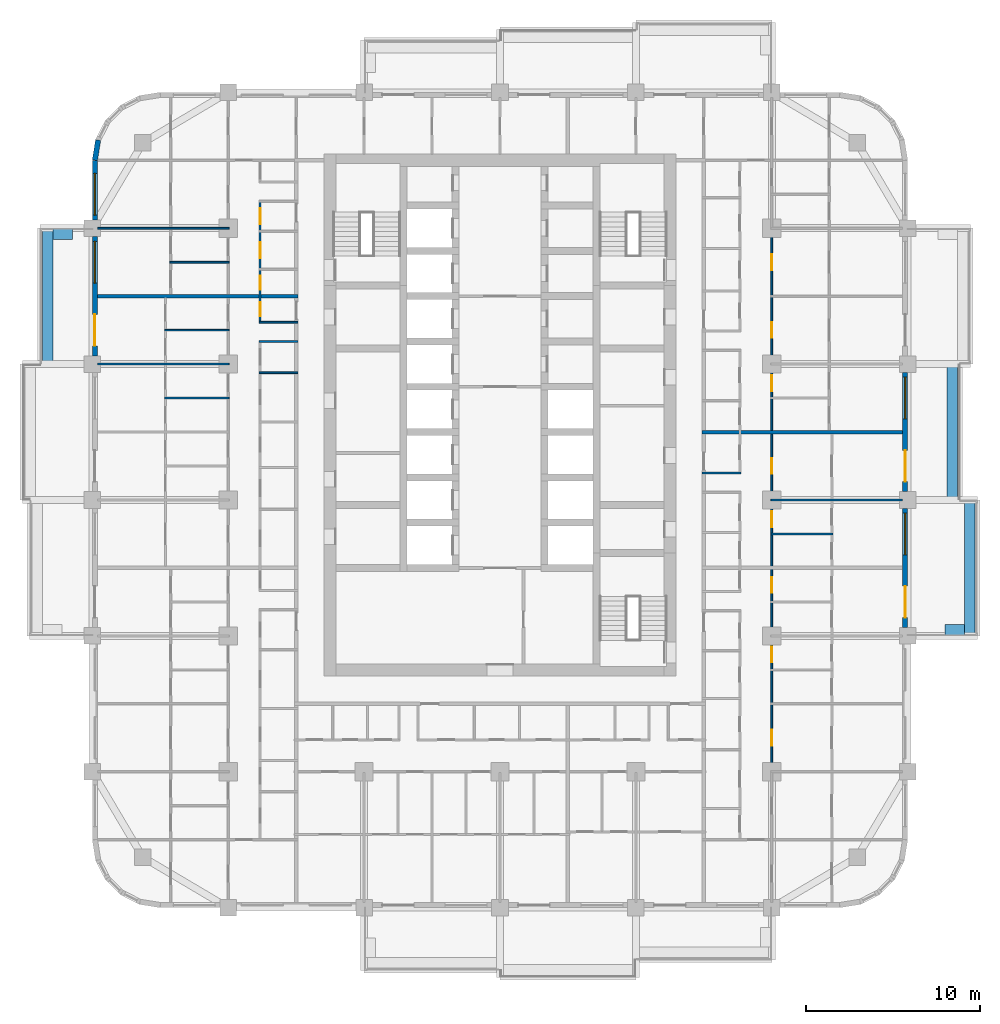
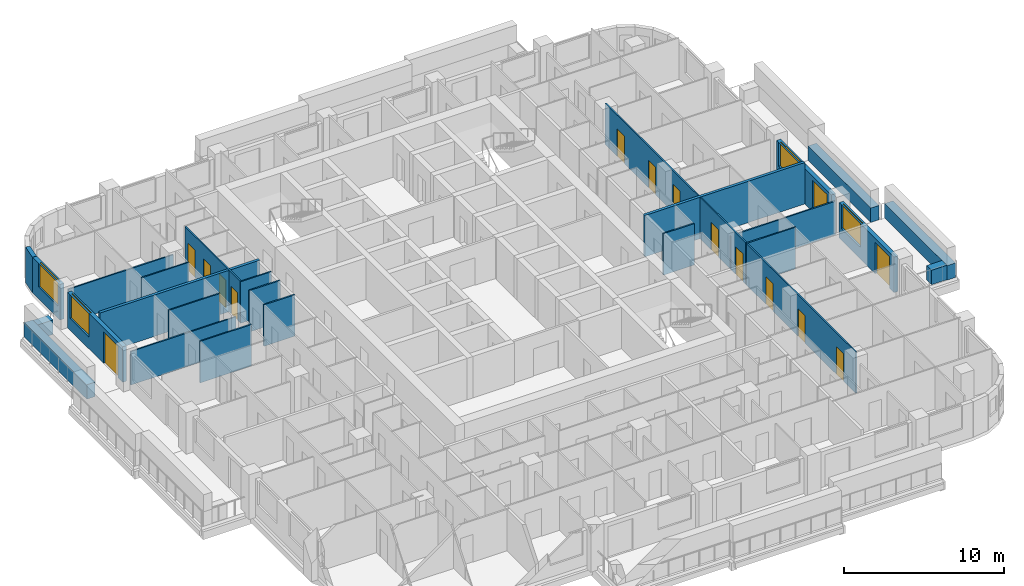
# One storey, part 9 of 17: 25 walls, 15 doors, 4 windows, 19 openings.
"""IFC4 building model written with IfcOpenShell, lengths in metres."""

from ifc_helpers import new_model, si_unit, direction, frame, frame_2d, origin, place, context, subcontext, project, spatial, rectangle, extrude, material, layer, layer_set, type_object, element, fill, save


model = new_model("IFC4")

# Units and contexts
model_context = context("Model", 3, precision=1e-05, world=origin(), true_north=direction((0.0, 1.0)))
body_context = subcontext(model_context, "Body", "Model", "MODEL_VIEW")
ifc_project = project(units=[si_unit("LENGTHUNIT", "METRE"), si_unit("AREAUNIT", "SQUARE_METRE"), si_unit("VOLUMEUNIT", "CUBIC_METRE"), si_unit("PLANEANGLEUNIT", "RADIAN"), si_unit("MASSUNIT", "GRAM", prefix="KILO")], contexts=[model_context])

# Site, building, storey
site_placement = place(None, origin())
site = spatial("IfcSite", under=ifc_project, at=site_placement, CompositionType="ELEMENT")
building_placement = place(site_placement, origin())
building = spatial("IfcBuilding", under=site, at=building_placement, Name="Ludao Terraces", CompositionType="ELEMENT")
storey_placement = place(building_placement, frame((0.0, 0.0, 85.199951171875)))
storey = spatial("IfcBuildingStorey", under=building, at=storey_placement, Name="L23", CompositionType="ELEMENT", Elevation=85.199951171875)

# Walls
ifc_material_1 = material(Name="Concrete C40", Category="concrete")
ifc_layer_1 = layer(ifc_material_1, 0.60009765625)
ifc_layer_set_1 = layer_set([ifc_layer_1], Name="ENV Planter trough 600")
wall_type_1 = type_object("IfcWallType", Name="ENV Planter trough 600", PredefinedType="USERDEFINED", material=ifc_layer_set_1)
wall_1_placement = place(storey_placement, frame((111.949951171875, 57.199951171875, 0.0), z_axis=(0.0, 0.0, 1.0), x_axis=(0.0, 1.0, 0.0)))
element("IfcWall", 1, at=wall_1_placement, inside=storey, type_object=wall_type_1, Name="PL-L23-E2", ObjectType="PLANTER", PredefinedType="USERDEFINED", context=body_context, shape_type="SweptSolid", body=[
    extrude(rectangle(XDim=7.800048828125, YDim=0.60009765625, at=frame_2d((3.89990234375, 0.0))), origin(), (0.0, 0.0, 1.0), 1.10009765625),
])
wall_2_placement = place(storey_placement, frame((111.64990234375, 57.550048828125, 0.0), z_axis=(0.0, 0.0, 1.0), x_axis=(-1.0, 0.0, 0.0)))
element("IfcWall", 2, at=wall_2_placement, inside=storey, type_object=wall_type_1, Name="PL-L23-E2-SA", ObjectType="PLANTER", PredefinedType="USERDEFINED", context=body_context, shape_type="SweptSolid", body=[
    extrude(rectangle(XDim=1.099853515625, YDim=0.60009765625, at=frame_2d((0.5498046875, 0.0))), origin(), (0.0, 0.0, 1.0), 1.10009765625),
])
for number, where, z_axis, x_axis, name in (
    (3, (110.949951171875, 65.0, 0.0), (0.0, 0.0, 1.0), (0.0, 1.0, 0.0), "PL-L23-E3"),
    (4, (59.050048828125, 72.800048828125, 0.0), (0.0, 0.0, 1.0), (0.0, 1.0, 0.0), "PL-L23-W4"),
):
    element("IfcWall", number, at=place(storey_placement, frame(where, z_axis=z_axis, x_axis=x_axis)), inside=storey, type_object=wall_type_1, Name=name, ObjectType="PLANTER", PredefinedType="USERDEFINED", context=body_context, shape_type="SweptSolid", body=[
        extrude(rectangle(XDim=7.800048828125, YDim=0.60009765625, at=frame_2d((3.89990234375, 0.0))), origin(), (0.0, 0.0, 1.0), 1.10009765625),
    ])
wall_3_placement = place(storey_placement, frame((59.35009765625, 80.25, 0.0), z_axis=(0.0, 0.0, 1.0), x_axis=(1.0, 0.0, 0.0)))
element("IfcWall", 5, at=wall_3_placement, inside=storey, type_object=wall_type_1, Name="PL-L23-W4-SB", ObjectType="PLANTER", PredefinedType="USERDEFINED", context=body_context, shape_type="SweptSolid", body=[
    extrude(rectangle(XDim=1.099853515625, YDim=0.60009765625, at=frame_2d((0.5498046875, 0.0))), origin(), (0.0, 0.0, 1.0), 1.10009765625),
])

# Wall, openings, door, window
ifc_material_2 = material(Name="Granite cladding", Category="masonry")
ifc_layer_2 = layer(ifc_material_2, 0.0400390625, Category="stone")
ifc_material_3 = material(Name="Mineral wool")
ifc_layer_3 = layer(ifc_material_3, 0.06005859375)
ifc_layer_4 = layer(ifc_material_1, 0.199951171875, Category="concrete")
ifc_layer_set_2 = layer_set([ifc_layer_2, ifc_layer_3, ifc_layer_4], Name="ENV Stone-clad wall 300")
wall_type_2 = type_object("IfcWallType", Name="ENV Stone-clad wall 300", PredefinedType="SOLIDWALL", material=ifc_layer_set_2)
wall_4_placement = place(storey_placement, frame((108.25, 57.675048828125, 0.0), z_axis=(0.0, 0.0, 1.0), x_axis=(0.0, 1.0, 0.0)))
wall_4 = element("IfcWall", 6, at=wall_4_placement, inside=storey, type_object=wall_type_2, Name="EW-L23-E3", PredefinedType="SOLIDWALL", context=body_context, shape_type="SweptSolid", body=[
    extrude(rectangle(XDim=6.849853515625, YDim=0.300048828125, at=frame_2d((3.4248046875, 0.0))), origin(), (0.0, 0.0, 1.0), 2.699951171875),
])
opening_1_placement = place(wall_4_placement, frame((0.574951171875, 0.0, 0.0)))
opening_1 = element("IfcOpeningElement", 7, at=opening_1_placement, cuts=wall_4, Name="Opening BD", PredefinedType="OPENING", context=body_context, shape_type="SweptSolid", body=[
    extrude(rectangle(XDim=1.800048828125, YDim=2.39990234375, at=frame_2d((0.89990234375, 1.199951171875))), frame((0.0, 0.16015625, 0.0), z_axis=(0.0, -1.0, 0.0), x_axis=(1.0, 0.0, 0.0)), (0.0, 0.0, 1.0), 0.320068359375),
])
opening_2_placement = place(wall_4_placement, frame((4.175048828125, 0.0, 0.89990234375)))
opening_2 = element("IfcOpeningElement", 8, at=opening_2_placement, cuts=wall_4, Name="Opening W1", PredefinedType="OPENING", context=body_context, shape_type="SweptSolid", body=[
    extrude(rectangle(XDim=2.39990234375, YDim=1.800048828125, at=frame_2d((1.199951171875, 0.89990234375))), frame((0.0, 0.16015625, 0.0), z_axis=(0.0, -1.0, 0.0), x_axis=(1.0, 0.0, 0.0)), (0.0, 0.0, 1.0), 0.320068359375),
])
ifc_material_4 = material(Name="Aluminium glazed door", Category="aluminium")
ifc_layer_5 = layer(ifc_material_4, 0.06005859375)
ifc_layer_set_3 = layer_set([ifc_layer_5], Name="ENV Balcony door BD 1800x2400")
door_type_1 = type_object("IfcDoorType", Name="ENV Balcony door BD 1800x2400", OperationType="DOUBLE_DOOR_SINGLE_SWING", PredefinedType="DOOR", material=ifc_layer_set_3)
door_1_placement = place(opening_1_placement, origin())
door_1 = element("IfcDoor", 9, at=door_1_placement, inside=storey, type_object=door_type_1, Name="BD-L23-E3-1", OperationType="DOUBLE_DOOR_SINGLE_SWING", OverallHeight=2.39990234375, OverallWidth=1.800048828125, PredefinedType="DOOR", context=body_context, shape_type="SweptSolid", body=[
    extrude(rectangle(XDim=1.800048828125, YDim=2.39990234375, at=frame_2d((0.89990234375, 1.199951171875))), frame((0.0, 0.02490234375, 0.0), z_axis=(0.0, -1.0, 0.0), x_axis=(1.0, 0.0, 0.0)), (0.0, 0.0, 1.0), 0.050048828125),
])
fill(opening_1, door_1)
ifc_material_5 = material(Name="Clear glass in aluminium frame", Category="aluminium")
ifc_layer_6 = layer(ifc_material_5, 0.06005859375)
ifc_layer_set_4 = layer_set([ifc_layer_6], Name="ENV Window W1 2400x1800")
window_type = type_object("IfcWindowType", Name="ENV Window W1 2400x1800", PartitioningType="DOUBLE_PANEL_VERTICAL", PredefinedType="WINDOW", material=ifc_layer_set_4)
window_1_placement = place(opening_2_placement, origin())
window_1 = element("IfcWindow", 10, at=window_1_placement, inside=storey, type_object=window_type, Name="W-L23-E3-2", OverallHeight=1.800048828125, OverallWidth=2.39990234375, PartitioningType="DOUBLE_PANEL_VERTICAL", PredefinedType="WINDOW", context=body_context, shape_type="SweptSolid", body=[
    extrude(rectangle(XDim=2.39990234375, YDim=1.800048828125, at=frame_2d((1.199951171875, 0.89990234375))), frame((0.0, 0.030029296875, 0.0), z_axis=(0.0, -1.0, 0.0), x_axis=(1.0, 0.0, 0.0)), (0.0, 0.0, 1.0), 0.06005859375),
])
fill(opening_2, window_1)

wall_5_placement = place(storey_placement, frame((108.25, 65.47509765625, 0.0), z_axis=(0.0, 0.0, 1.0), x_axis=(0.0, 1.0, 0.0)))
wall_5 = element("IfcWall", 11, at=wall_5_placement, inside=storey, type_object=wall_type_2, Name="EW-L23-E4", PredefinedType="SOLIDWALL", context=body_context, shape_type="SweptSolid", body=[
    extrude(rectangle(XDim=6.849853515625, YDim=0.300048828125, at=frame_2d((3.4248046875, 0.0))), origin(), (0.0, 0.0, 1.0), 2.699951171875),
])
opening_3_placement = place(wall_5_placement, frame((0.574951171875, 0.0, 0.0)))
opening_3 = element("IfcOpeningElement", 12, at=opening_3_placement, cuts=wall_5, Name="Opening BD", PredefinedType="OPENING", context=body_context, shape_type="SweptSolid", body=[
    extrude(rectangle(XDim=1.800048828125, YDim=2.39990234375, at=frame_2d((0.89990234375, 1.199951171875))), frame((0.0, 0.16015625, 0.0), z_axis=(0.0, -1.0, 0.0), x_axis=(1.0, 0.0, 0.0)), (0.0, 0.0, 1.0), 0.320068359375),
])
opening_4_placement = place(wall_5_placement, frame((4.175048828125, 0.0, 0.89990234375)))
opening_4 = element("IfcOpeningElement", 13, at=opening_4_placement, cuts=wall_5, Name="Opening W1", PredefinedType="OPENING", context=body_context, shape_type="SweptSolid", body=[
    extrude(rectangle(XDim=2.39990234375, YDim=1.800048828125, at=frame_2d((1.199951171875, 0.89990234375))), frame((0.0, 0.16015625, 0.0), z_axis=(0.0, -1.0, 0.0), x_axis=(1.0, 0.0, 0.0)), (0.0, 0.0, 1.0), 0.320068359375),
])
door_2_placement = place(opening_3_placement, origin())
door_2 = element("IfcDoor", 14, at=door_2_placement, inside=storey, type_object=door_type_1, Name="BD-L23-E4-1", OperationType="DOUBLE_DOOR_SINGLE_SWING", OverallHeight=2.39990234375, OverallWidth=1.800048828125, PredefinedType="DOOR", context=body_context, shape_type="SweptSolid", body=[
    extrude(rectangle(XDim=1.800048828125, YDim=2.39990234375, at=frame_2d((0.89990234375, 1.199951171875))), frame((0.0, 0.02490234375, 0.0), z_axis=(0.0, -1.0, 0.0), x_axis=(1.0, 0.0, 0.0)), (0.0, 0.0, 1.0), 0.050048828125),
])
fill(opening_3, door_2)
window_2_placement = place(opening_4_placement, origin())
window_2 = element("IfcWindow", 15, at=window_2_placement, inside=storey, type_object=window_type, Name="W-L23-E4-2", OverallHeight=1.800048828125, OverallWidth=2.39990234375, PartitioningType="DOUBLE_PANEL_VERTICAL", PredefinedType="WINDOW", context=body_context, shape_type="SweptSolid", body=[
    extrude(rectangle(XDim=2.39990234375, YDim=1.800048828125, at=frame_2d((1.199951171875, 0.89990234375))), frame((0.0, 0.030029296875, 0.0), z_axis=(0.0, -1.0, 0.0), x_axis=(1.0, 0.0, 0.0)), (0.0, 0.0, 1.0), 0.06005859375),
])
fill(opening_4, window_2)

wall_6_placement = place(storey_placement, frame((61.75, 73.27490234375, 0.0), z_axis=(0.0, 0.0, 1.0), x_axis=(0.0, 1.0, 0.0)))
wall_6 = element("IfcWall", 16, at=wall_6_placement, inside=storey, type_object=wall_type_2, Name="EW-L23-W5", PredefinedType="SOLIDWALL", context=body_context, shape_type="SweptSolid", body=[
    extrude(rectangle(XDim=6.85009765625, YDim=0.300048828125, at=frame_2d((3.425048828125, 0.0))), origin(), (0.0, 0.0, 1.0), 2.699951171875),
])
opening_5_placement = place(wall_6_placement, frame((0.574951171875, 0.0, 0.0)))
opening_5 = element("IfcOpeningElement", 17, at=opening_5_placement, cuts=wall_6, Name="Opening BD", PredefinedType="OPENING", context=body_context, shape_type="SweptSolid", body=[
    extrude(rectangle(XDim=1.800048828125, YDim=2.39990234375, at=frame_2d((0.89990234375, 1.199951171875))), frame((0.0, 0.16015625, 0.0), z_axis=(0.0, -1.0, 0.0), x_axis=(1.0, 0.0, 0.0)), (0.0, 0.0, 1.0), 0.320068359375),
])
opening_6_placement = place(wall_6_placement, frame((4.175048828125, 0.0, 0.89990234375)))
opening_6 = element("IfcOpeningElement", 18, at=opening_6_placement, cuts=wall_6, Name="Opening W1", PredefinedType="OPENING", context=body_context, shape_type="SweptSolid", body=[
    extrude(rectangle(XDim=2.39990234375, YDim=1.800048828125, at=frame_2d((1.199951171875, 0.89990234375))), frame((0.0, 0.16015625, 0.0), z_axis=(0.0, -1.0, 0.0), x_axis=(1.0, 0.0, 0.0)), (0.0, 0.0, 1.0), 0.320068359375),
])
door_3_placement = place(opening_5_placement, origin())
door_3 = element("IfcDoor", 19, at=door_3_placement, inside=storey, type_object=door_type_1, Name="BD-L23-W5-1", OperationType="DOUBLE_DOOR_SINGLE_SWING", OverallHeight=2.39990234375, OverallWidth=1.800048828125, PredefinedType="DOOR", context=body_context, shape_type="SweptSolid", body=[
    extrude(rectangle(XDim=1.800048828125, YDim=2.39990234375, at=frame_2d((0.89990234375, 1.199951171875))), frame((0.0, 0.02490234375, 0.0), z_axis=(0.0, -1.0, 0.0), x_axis=(1.0, 0.0, 0.0)), (0.0, 0.0, 1.0), 0.050048828125),
])
fill(opening_5, door_3)
window_3_placement = place(opening_6_placement, origin())
window_3 = element("IfcWindow", 20, at=window_3_placement, inside=storey, type_object=window_type, Name="W-L23-W5-2", OverallHeight=1.800048828125, OverallWidth=2.39990234375, PartitioningType="DOUBLE_PANEL_VERTICAL", PredefinedType="WINDOW", context=body_context, shape_type="SweptSolid", body=[
    extrude(rectangle(XDim=2.39990234375, YDim=1.800048828125, at=frame_2d((1.199951171875, 0.89990234375))), frame((0.0, 0.030029296875, 0.0), z_axis=(0.0, -1.0, 0.0), x_axis=(1.0, 0.0, 0.0)), (0.0, 0.0, 1.0), 0.06005859375),
])
fill(opening_6, window_3)

# Wall, opening, window
wall_7_placement = place(storey_placement, frame((61.75, 81.074951171875, 0.0), z_axis=(0.0, 0.0, 1.0), x_axis=(0.0, 1.0, 0.0)))
wall_7 = element("IfcWall", 21, at=wall_7_placement, inside=storey, type_object=wall_type_2, Name="EW-L23-W6", PredefinedType="SOLIDWALL", context=body_context, shape_type="SweptSolid", body=[
    extrude(rectangle(XDim=3.425048828125, YDim=0.300048828125, at=frame_2d((1.71240234375, 0.0))), origin(), (0.0, 0.0, 1.0), 2.699951171875),
])
opening_7_placement = place(wall_7_placement, frame((0.27490234375, 0.0, 0.89990234375)))
opening_7 = element("IfcOpeningElement", 22, at=opening_7_placement, cuts=wall_7, Name="Opening W1", PredefinedType="OPENING", context=body_context, shape_type="SweptSolid", body=[
    extrude(rectangle(XDim=2.39990234375, YDim=1.800048828125, at=frame_2d((1.199951171875, 0.89990234375))), frame((0.0, 0.16015625, 0.0), z_axis=(0.0, -1.0, 0.0), x_axis=(1.0, 0.0, 0.0)), (0.0, 0.0, 1.0), 0.320068359375),
])
window_4_placement = place(opening_7_placement, origin())
window_4 = element("IfcWindow", 23, at=window_4_placement, inside=storey, type_object=window_type, Name="W-L23-W6-1", OverallHeight=1.800048828125, OverallWidth=2.39990234375, PartitioningType="DOUBLE_PANEL_VERTICAL", PredefinedType="WINDOW", context=body_context, shape_type="SweptSolid", body=[
    extrude(rectangle(XDim=2.39990234375, YDim=1.800048828125, at=frame_2d((1.199951171875, 0.89990234375))), frame((0.0, 0.030029296875, 0.0), z_axis=(0.0, -1.0, 0.0), x_axis=(1.0, 0.0, 0.0)), (0.0, 0.0, 1.0), 0.06005859375),
])
fill(opening_7, window_4)

# Walls
wall_8_placement = place(storey_placement, frame((61.93359375, 85.65869140625, 0.0), z_axis=(0.0, 0.0, 1.0), x_axis=(-0.156496880861, -0.987678452879, 0.0)))
element("IfcWall", 24, at=wall_8_placement, inside=storey, type_object=wall_type_2, Name="EW-L23-NW5", PredefinedType="SOLIDWALL", context=body_context, shape_type="SweptSolid", body=[
    extrude(rectangle(XDim=1.173095703125, YDim=0.300048828125, at=frame_2d((0.58642578125, 0.0))), origin(), (0.0, 0.0, 1.0), 2.699951171875),
])
ifc_material_6 = material(Name="Gypsum plasterboard", Category="gypsum")
ifc_layer_7 = layer(ifc_material_6, 0.012451171875, Category="gypsum")
ifc_layer_8 = layer(ifc_material_3, 0.06005859375, Name="insulation")
ifc_material_7 = material(Name="Steel Q235", Category="steel")
ifc_layer_9 = layer(ifc_material_7, 0.014892578125, Name="stud")
ifc_layer_10 = layer(ifc_material_6, 0.012451171875, Category="gypsum")
ifc_layer_set_5 = layer_set([ifc_layer_7, ifc_layer_8, ifc_layer_9, ifc_layer_10], Name="INT Partition 100")
wall_type_3 = type_object("IfcWallType", Name="INT Partition 100", PredefinedType="PARTITIONING", material=ifc_layer_set_5)
wall_9_placement = place(storey_placement, frame((100.550048828125, 63.050048828125, 0.0), z_axis=(0.0, 0.0, 1.0), x_axis=(1.0, 0.0, 0.0)))
element("IfcWall", 25, at=wall_9_placement, inside=storey, type_object=wall_type_3, Name="PW-L23-PW035", PredefinedType="PARTITIONING", context=body_context, shape_type="SweptSolid", body=[
    extrude(rectangle(XDim=3.550048828125, YDim=0.10009765625, at=frame_2d((1.77490234375, 0.0))), origin(), (0.0, 0.0, 1.0), 3.150146484375),
])
wall_10_placement = place(storey_placement, frame((100.550048828125, 65.0, 0.0), z_axis=(0.0, 0.0, 1.0), x_axis=(1.0, 0.0, 0.0)))
element("IfcWall", 26, at=wall_10_placement, inside=storey, type_object=wall_type_3, Name="PW-L23-PW039", PredefinedType="PARTITIONING", context=body_context, shape_type="SweptSolid", body=[
    extrude(rectangle(XDim=7.550048828125, YDim=0.10009765625, at=frame_2d((3.77490234375, 0.0))), origin(), (0.0, 0.0, 1.0), 2.550048828125),
])
wall_11_placement = place(storey_placement, frame((96.60009765625, 66.550048828125, 0.0), z_axis=(0.0, 0.0, 1.0), x_axis=(1.0, 0.0, 0.0)))
element("IfcWall", 27, at=wall_11_placement, inside=storey, type_object=wall_type_3, Name="PW-L23-PW041", PredefinedType="PARTITIONING", context=body_context, shape_type="SweptSolid", body=[
    extrude(rectangle(XDim=2.219970703125, YDim=0.10009765625, at=frame_2d((1.10986328125, 0.0))), origin(), (0.0, 0.0, 1.0), 3.150146484375),
])
wall_12_placement = place(storey_placement, frame((65.75, 70.85009765625, 0.0), z_axis=(0.0, 0.0, 1.0), x_axis=(1.0, 0.0, 0.0)))
element("IfcWall", 28, at=wall_12_placement, inside=storey, type_object=wall_type_3, Name="PW-L23-PW050", PredefinedType="PARTITIONING", context=body_context, shape_type="SweptSolid", body=[
    extrude(rectangle(XDim=3.7001953125, YDim=0.10009765625, at=frame_2d((1.85009765625, 0.0))), origin(), (0.0, 0.0, 1.0), 3.150146484375),
])
wall_13_placement = place(storey_placement, frame((71.18017578125, 72.300048828125, 0.0), z_axis=(0.0, 0.0, 1.0), x_axis=(1.0, 0.0, 0.0)))
element("IfcWall", 29, at=wall_13_placement, inside=storey, type_object=wall_type_3, Name="PW-L23-PW053", PredefinedType="PARTITIONING", context=body_context, shape_type="SweptSolid", body=[
    extrude(rectangle(XDim=2.219970703125, YDim=0.10009765625, at=frame_2d((1.10986328125, 0.0))), origin(), (0.0, 0.0, 1.0), 3.150146484375),
])
wall_14_placement = place(storey_placement, frame((61.900146484375, 72.800048828125, 0.0), z_axis=(0.0, 0.0, 1.0), x_axis=(1.0, 0.0, 0.0)))
element("IfcWall", 30, at=wall_14_placement, inside=storey, type_object=wall_type_3, Name="PW-L23-PW054", PredefinedType="PARTITIONING", context=body_context, shape_type="SweptSolid", body=[
    extrude(rectangle(XDim=7.550048828125, YDim=0.10009765625, at=frame_2d((3.77490234375, 0.0))), origin(), (0.0, 0.0, 1.0), 2.550048828125),
])
wall_15_placement = place(storey_placement, frame((71.18017578125, 74.10009765625, 0.0), z_axis=(0.0, 0.0, 1.0), x_axis=(1.0, 0.0, 0.0)))
element("IfcWall", 31, at=wall_15_placement, inside=storey, type_object=wall_type_3, Name="PW-L23-PW057", PredefinedType="PARTITIONING", context=body_context, shape_type="SweptSolid", body=[
    extrude(rectangle(XDim=2.219970703125, YDim=0.10009765625, at=frame_2d((1.10986328125, 0.0))), origin(), (0.0, 0.0, 1.0), 3.150146484375),
])
wall_16_placement = place(storey_placement, frame((65.75, 74.75, 0.0), z_axis=(0.0, 0.0, 1.0), x_axis=(1.0, 0.0, 0.0)))
element("IfcWall", 32, at=wall_16_placement, inside=storey, type_object=wall_type_3, Name="PW-L23-PW059", PredefinedType="PARTITIONING", context=body_context, shape_type="SweptSolid", body=[
    extrude(rectangle(XDim=3.7001953125, YDim=0.10009765625, at=frame_2d((1.85009765625, 0.0))), origin(), (0.0, 0.0, 1.0), 3.150146484375),
])
wall_17_placement = place(storey_placement, frame((71.18017578125, 75.199951171875, 0.0), z_axis=(0.0, 0.0, 1.0), x_axis=(1.0, 0.0, 0.0)))
element("IfcWall", 33, at=wall_17_placement, inside=storey, type_object=wall_type_3, Name="PW-L23-PW060", PredefinedType="PARTITIONING", context=body_context, shape_type="SweptSolid", body=[
    extrude(rectangle(XDim=2.219970703125, YDim=0.10009765625, at=frame_2d((1.10986328125, 0.0))), origin(), (0.0, 0.0, 1.0), 3.150146484375),
])
wall_18_placement = place(storey_placement, frame((66.050048828125, 78.64990234375, 0.0), z_axis=(0.0, 0.0, 1.0), x_axis=(1.0, 0.0, 0.0)))
element("IfcWall", 34, at=wall_18_placement, inside=storey, type_object=wall_type_3, Name="PW-L23-PW066", PredefinedType="PARTITIONING", context=body_context, shape_type="SweptSolid", body=[
    extrude(rectangle(XDim=3.400146484375, YDim=0.10009765625, at=frame_2d((1.7001953125, 0.0))), origin(), (0.0, 0.0, 1.0), 3.150146484375),
])
wall_19_placement = place(storey_placement, frame((61.900146484375, 80.60009765625, 0.0), z_axis=(0.0, 0.0, 1.0), x_axis=(1.0, 0.0, 0.0)))
element("IfcWall", 35, at=wall_19_placement, inside=storey, type_object=wall_type_3, Name="PW-L23-PW069", PredefinedType="PARTITIONING", context=body_context, shape_type="SweptSolid", body=[
    extrude(rectangle(XDim=7.550048828125, YDim=0.10009765625, at=frame_2d((3.77490234375, 0.0))), origin(), (0.0, 0.0, 1.0), 2.550048828125),
])

# Wall, openings, doors
wall_20_placement = place(storey_placement, frame((71.22998046875, 75.25, 0.0), z_axis=(0.0, 0.0, 1.0), x_axis=(0.0, 1.0, 0.0)))
wall_20 = element("IfcWall", 36, at=wall_20_placement, inside=storey, type_object=wall_type_3, Name="PW-L23-PW085", PredefinedType="PARTITIONING", context=body_context, shape_type="SweptSolid", body=[
    extrude(rectangle(XDim=6.85009765625, YDim=0.10009765625, at=frame_2d((3.425048828125, 0.0))), origin(), (0.0, 0.0, 1.0), 3.150146484375),
])
opening_8_placement = place(wall_20_placement, frame((0.300048828125, 0.0, 0.0)))
opening_8 = element("IfcOpeningElement", 37, at=opening_8_placement, cuts=wall_20, Name="Opening R07-125", PredefinedType="OPENING", context=body_context, shape_type="SweptSolid", body=[
    extrude(rectangle(XDim=0.800048828125, YDim=2.10009765625, at=frame_2d((0.39990234375, 1.050048828125))), frame((0.0, 0.06005859375, 0.0), z_axis=(0.0, -1.0, 0.0), x_axis=(1.0, 0.0, 0.0)), (0.0, 0.0, 1.0), 0.1201171875),
])
opening_9_placement = place(wall_20_placement, frame((1.8251953125, 0.0, 0.0)))
opening_9 = element("IfcOpeningElement", 38, at=opening_9_placement, cuts=wall_20, Name="Opening R07-127", PredefinedType="OPENING", context=body_context, shape_type="SweptSolid", body=[
    extrude(rectangle(XDim=0.800048828125, YDim=2.10009765625, at=frame_2d((0.39990234375, 1.050048828125))), frame((0.0, 0.06005859375, 0.0), z_axis=(0.0, -1.0, 0.0), x_axis=(1.0, 0.0, 0.0)), (0.0, 0.0, 1.0), 0.1201171875),
])
opening_10_placement = place(wall_20_placement, frame((3.635009765625, 0.0, 0.0)))
opening_10 = element("IfcOpeningElement", 39, at=opening_10_placement, cuts=wall_20, Name="Opening R07-136", PredefinedType="OPENING", context=body_context, shape_type="SweptSolid", body=[
    extrude(rectangle(XDim=0.89990234375, YDim=2.10009765625, at=frame_2d((0.449951171875, 1.050048828125))), frame((0.0, 0.06005859375, 0.0), z_axis=(0.0, -1.0, 0.0), x_axis=(1.0, 0.0, 0.0)), (0.0, 0.0, 1.0), 0.1201171875),
])
opening_11_placement = place(wall_20_placement, frame((5.585205078125, 0.0, 0.0)))
opening_11 = element("IfcOpeningElement", 40, at=opening_11_placement, cuts=wall_20, Name="Opening R07-142", PredefinedType="OPENING", context=body_context, shape_type="SweptSolid", body=[
    extrude(rectangle(XDim=0.89990234375, YDim=2.10009765625, at=frame_2d((0.449951171875, 1.050048828125))), frame((0.0, 0.06005859375, 0.0), z_axis=(0.0, -1.0, 0.0), x_axis=(1.0, 0.0, 0.0)), (0.0, 0.0, 1.0), 0.1201171875),
])
ifc_material_8 = material(Name="Timber door leaf", Category="wood")
door_type_2 = type_object("IfcDoorType", Name="INT Bathroom door 900", OperationType="SINGLE_SWING_LEFT", PredefinedType="DOOR", material=ifc_material_8)
door_4_placement = place(opening_11_placement, origin())
door_4 = element("IfcDoor", 41, at=door_4_placement, inside=storey, type_object=door_type_2, Name="DOOR 142", OperationType="SINGLE_SWING_RIGHT", OverallHeight=2.10009765625, OverallWidth=0.89990234375, PredefinedType="DOOR", context=body_context, shape_type="SweptSolid", body=[
    extrude(rectangle(XDim=0.89990234375, YDim=2.10009765625, at=frame_2d((0.449951171875, 1.050048828125))), frame((0.0, 0.02490234375, 0.0), z_axis=(0.0, -1.0, 0.0), x_axis=(1.0, 0.0, 0.0)), (0.0, 0.0, 1.0), 0.050048828125),
])
fill(opening_11, door_4)
door_type_3 = type_object("IfcDoorType", Name="INT Room door 900", OperationType="SINGLE_SWING_LEFT", PredefinedType="DOOR", material=ifc_material_8)
door_5_placement = place(opening_10_placement, origin())
door_5 = element("IfcDoor", 42, at=door_5_placement, inside=storey, type_object=door_type_3, Name="DOOR 136", OperationType="SINGLE_SWING_LEFT", OverallHeight=2.10009765625, OverallWidth=0.89990234375, PredefinedType="DOOR", context=body_context, shape_type="SweptSolid", body=[
    extrude(rectangle(XDim=0.89990234375, YDim=2.10009765625, at=frame_2d((0.449951171875, 1.050048828125))), frame((0.0, 0.02490234375, 0.0), z_axis=(0.0, -1.0, 0.0), x_axis=(1.0, 0.0, 0.0)), (0.0, 0.0, 1.0), 0.050048828125),
])
fill(opening_10, door_5)
door_type_4 = type_object("IfcDoorType", Name="INT Store door 800", OperationType="SINGLE_SWING_LEFT", PredefinedType="DOOR", material=ifc_material_8)
door_6_placement = place(opening_8_placement, origin())
door_6 = element("IfcDoor", 43, at=door_6_placement, inside=storey, type_object=door_type_4, Name="DOOR 125", OperationType="SINGLE_SWING_LEFT", OverallHeight=2.10009765625, OverallWidth=0.800048828125, PredefinedType="DOOR", context=body_context, shape_type="SweptSolid", body=[
    extrude(rectangle(XDim=0.800048828125, YDim=2.10009765625, at=frame_2d((0.39990234375, 1.050048828125))), frame((0.0, 0.02490234375, 0.0), z_axis=(0.0, -1.0, 0.0), x_axis=(1.0, 0.0, 0.0)), (0.0, 0.0, 1.0), 0.050048828125),
])
fill(opening_8, door_6)
door_7_placement = place(opening_9_placement, origin())
door_7 = element("IfcDoor", 44, at=door_7_placement, inside=storey, type_object=door_type_4, Name="DOOR 127", OperationType="SINGLE_SWING_RIGHT", OverallHeight=2.10009765625, OverallWidth=0.800048828125, PredefinedType="DOOR", context=body_context, shape_type="SweptSolid", body=[
    extrude(rectangle(XDim=0.800048828125, YDim=2.10009765625, at=frame_2d((0.39990234375, 1.050048828125))), frame((0.0, 0.02490234375, 0.0), z_axis=(0.0, -1.0, 0.0), x_axis=(1.0, 0.0, 0.0)), (0.0, 0.0, 1.0), 0.050048828125),
])
fill(opening_9, door_7)

wall_21_placement = place(storey_placement, frame((100.60009765625, 49.39990234375, 0.0), z_axis=(0.0, 0.0, 1.0), x_axis=(0.0, 1.0, 0.0)))
wall_21 = element("IfcWall", 45, at=wall_21_placement, inside=storey, type_object=wall_type_3, Name="PW-L23-PW121-2", PredefinedType="PARTITIONING", context=body_context, shape_type="SweptSolid", body=[
    extrude(rectangle(XDim=31.2001953125, YDim=0.10009765625, at=frame_2d((15.60009765625, 0.0))), origin(), (0.0, 0.0, 1.0), 3.150146484375),
])
opening_12_placement = place(wall_21_placement, frame((1.500244140625, 0.0, 0.0)))
opening_12 = element("IfcOpeningElement", 46, at=opening_12_placement, cuts=wall_21, Name="Opening R07-043", PredefinedType="OPENING", context=body_context, shape_type="SweptSolid", body=[
    extrude(rectangle(XDim=0.89990234375, YDim=2.10009765625, at=frame_2d((0.449951171875, 1.050048828125))), frame((0.0, 0.06005859375, 0.0), z_axis=(0.0, -1.0, 0.0), x_axis=(1.0, 0.0, 0.0)), (0.0, 0.0, 1.0), 0.1201171875),
])
opening_13_placement = place(wall_21_placement, frame((6.275146484375, 0.0, 0.0)))
opening_13 = element("IfcOpeningElement", 47, at=opening_13_placement, cuts=wall_21, Name="Opening R07-055", PredefinedType="OPENING", context=body_context, shape_type="SweptSolid", body=[
    extrude(rectangle(XDim=0.89990234375, YDim=2.10009765625, at=frame_2d((0.449951171875, 1.050048828125))), frame((0.0, 0.06005859375, 0.0), z_axis=(0.0, -1.0, 0.0), x_axis=(1.0, 0.0, 0.0)), (0.0, 0.0, 1.0), 0.1201171875),
])
opening_14_placement = place(wall_21_placement, frame((10.275146484375, 0.0, 0.0)))
opening_14 = element("IfcOpeningElement", 48, at=opening_14_placement, cuts=wall_21, Name="Opening R07-068", PredefinedType="OPENING", context=body_context, shape_type="SweptSolid", body=[
    extrude(rectangle(XDim=0.89990234375, YDim=2.10009765625, at=frame_2d((0.449951171875, 1.050048828125))), frame((0.0, 0.06005859375, 0.0), z_axis=(0.0, -1.0, 0.0), x_axis=(1.0, 0.0, 0.0)), (0.0, 0.0, 1.0), 0.1201171875),
])
opening_15_placement = place(wall_21_placement, frame((14.05029296875, 0.0, 0.0)))
opening_15 = element("IfcOpeningElement", 49, at=opening_15_placement, cuts=wall_21, Name="Opening R07-081", PredefinedType="OPENING", context=body_context, shape_type="SweptSolid", body=[
    extrude(rectangle(XDim=0.89990234375, YDim=2.10009765625, at=frame_2d((0.449951171875, 1.050048828125))), frame((0.0, 0.06005859375, 0.0), z_axis=(0.0, -1.0, 0.0), x_axis=(1.0, 0.0, 0.0)), (0.0, 0.0, 1.0), 0.1201171875),
])
opening_16_placement = place(wall_21_placement, frame((17.10009765625, 0.0, 0.0)))
opening_16 = element("IfcOpeningElement", 50, at=opening_16_placement, cuts=wall_21, Name="Opening R07-088", PredefinedType="OPENING", context=body_context, shape_type="SweptSolid", body=[
    extrude(rectangle(XDim=0.89990234375, YDim=2.10009765625, at=frame_2d((0.449951171875, 1.050048828125))), frame((0.0, 0.06005859375, 0.0), z_axis=(0.0, -1.0, 0.0), x_axis=(1.0, 0.0, 0.0)), (0.0, 0.0, 1.0), 0.1201171875),
])
opening_17_placement = place(wall_21_placement, frame((21.85009765625, 0.0, 0.0)))
opening_17 = element("IfcOpeningElement", 51, at=opening_17_placement, cuts=wall_21, Name="Opening R07-105", PredefinedType="OPENING", context=body_context, shape_type="SweptSolid", body=[
    extrude(rectangle(XDim=0.89990234375, YDim=2.10009765625, at=frame_2d((0.449951171875, 1.050048828125))), frame((0.0, 0.06005859375, 0.0), z_axis=(0.0, -1.0, 0.0), x_axis=(1.0, 0.0, 0.0)), (0.0, 0.0, 1.0), 0.1201171875),
])
opening_18_placement = place(wall_21_placement, frame((24.900146484375, 0.0, 0.0)))
opening_18 = element("IfcOpeningElement", 52, at=opening_18_placement, cuts=wall_21, Name="Opening R07-114", PredefinedType="OPENING", context=body_context, shape_type="SweptSolid", body=[
    extrude(rectangle(XDim=0.89990234375, YDim=2.10009765625, at=frame_2d((0.449951171875, 1.050048828125))), frame((0.0, 0.06005859375, 0.0), z_axis=(0.0, -1.0, 0.0), x_axis=(1.0, 0.0, 0.0)), (0.0, 0.0, 1.0), 0.1201171875),
])
opening_19_placement = place(wall_21_placement, frame((28.80029296875, 0.0, 0.0)))
opening_19 = element("IfcOpeningElement", 53, at=opening_19_placement, cuts=wall_21, Name="Opening R07-134", PredefinedType="OPENING", context=body_context, shape_type="SweptSolid", body=[
    extrude(rectangle(XDim=0.89990234375, YDim=2.10009765625, at=frame_2d((0.449951171875, 1.050048828125))), frame((0.0, 0.06005859375, 0.0), z_axis=(0.0, -1.0, 0.0), x_axis=(1.0, 0.0, 0.0)), (0.0, 0.0, 1.0), 0.1201171875),
])
door_8_placement = place(opening_12_placement, origin())
door_8 = element("IfcDoor", 54, at=door_8_placement, inside=storey, type_object=door_type_3, Name="DOOR 043", OperationType="SINGLE_SWING_LEFT", OverallHeight=2.10009765625, OverallWidth=0.89990234375, PredefinedType="DOOR", context=body_context, shape_type="SweptSolid", body=[
    extrude(rectangle(XDim=0.89990234375, YDim=2.10009765625, at=frame_2d((0.449951171875, 1.050048828125))), frame((0.0, 0.02490234375, 0.0), z_axis=(0.0, -1.0, 0.0), x_axis=(1.0, 0.0, 0.0)), (0.0, 0.0, 1.0), 0.050048828125),
])
fill(opening_12, door_8)
door_9_placement = place(opening_13_placement, origin())
door_9 = element("IfcDoor", 55, at=door_9_placement, inside=storey, type_object=door_type_3, Name="DOOR 055", OperationType="SINGLE_SWING_RIGHT", OverallHeight=2.10009765625, OverallWidth=0.89990234375, PredefinedType="DOOR", context=body_context, shape_type="SweptSolid", body=[
    extrude(rectangle(XDim=0.89990234375, YDim=2.10009765625, at=frame_2d((0.449951171875, 1.050048828125))), frame((0.0, 0.02490234375, 0.0), z_axis=(0.0, -1.0, 0.0), x_axis=(1.0, 0.0, 0.0)), (0.0, 0.0, 1.0), 0.050048828125),
])
fill(opening_13, door_9)
door_10_placement = place(opening_14_placement, origin())
door_10 = element("IfcDoor", 56, at=door_10_placement, inside=storey, type_object=door_type_3, Name="DOOR 068", OperationType="SINGLE_SWING_LEFT", OverallHeight=2.10009765625, OverallWidth=0.89990234375, PredefinedType="DOOR", context=body_context, shape_type="SweptSolid", body=[
    extrude(rectangle(XDim=0.89990234375, YDim=2.10009765625, at=frame_2d((0.449951171875, 1.050048828125))), frame((0.0, 0.02490234375, 0.0), z_axis=(0.0, -1.0, 0.0), x_axis=(1.0, 0.0, 0.0)), (0.0, 0.0, 1.0), 0.050048828125),
])
fill(opening_14, door_10)
door_11_placement = place(opening_15_placement, origin())
door_11 = element("IfcDoor", 57, at=door_11_placement, inside=storey, type_object=door_type_3, Name="DOOR 081", OperationType="SINGLE_SWING_RIGHT", OverallHeight=2.10009765625, OverallWidth=0.89990234375, PredefinedType="DOOR", context=body_context, shape_type="SweptSolid", body=[
    extrude(rectangle(XDim=0.89990234375, YDim=2.10009765625, at=frame_2d((0.449951171875, 1.050048828125))), frame((0.0, 0.02490234375, 0.0), z_axis=(0.0, -1.0, 0.0), x_axis=(1.0, 0.0, 0.0)), (0.0, 0.0, 1.0), 0.050048828125),
])
fill(opening_15, door_11)
door_12_placement = place(opening_16_placement, origin())
door_12 = element("IfcDoor", 58, at=door_12_placement, inside=storey, type_object=door_type_3, Name="DOOR 088", OperationType="SINGLE_SWING_RIGHT", OverallHeight=2.10009765625, OverallWidth=0.89990234375, PredefinedType="DOOR", context=body_context, shape_type="SweptSolid", body=[
    extrude(rectangle(XDim=0.89990234375, YDim=2.10009765625, at=frame_2d((0.449951171875, 1.050048828125))), frame((0.0, 0.02490234375, 0.0), z_axis=(0.0, -1.0, 0.0), x_axis=(1.0, 0.0, 0.0)), (0.0, 0.0, 1.0), 0.050048828125),
])
fill(opening_16, door_12)
door_13_placement = place(opening_17_placement, origin())
door_13 = element("IfcDoor", 59, at=door_13_placement, inside=storey, type_object=door_type_3, Name="DOOR 105", OperationType="SINGLE_SWING_RIGHT", OverallHeight=2.10009765625, OverallWidth=0.89990234375, PredefinedType="DOOR", context=body_context, shape_type="SweptSolid", body=[
    extrude(rectangle(XDim=0.89990234375, YDim=2.10009765625, at=frame_2d((0.449951171875, 1.050048828125))), frame((0.0, 0.02490234375, 0.0), z_axis=(0.0, -1.0, 0.0), x_axis=(1.0, 0.0, 0.0)), (0.0, 0.0, 1.0), 0.050048828125),
])
fill(opening_17, door_13)
door_14_placement = place(opening_18_placement, origin())
door_14 = element("IfcDoor", 60, at=door_14_placement, inside=storey, type_object=door_type_3, Name="DOOR 114", OperationType="SINGLE_SWING_RIGHT", OverallHeight=2.10009765625, OverallWidth=0.89990234375, PredefinedType="DOOR", context=body_context, shape_type="SweptSolid", body=[
    extrude(rectangle(XDim=0.89990234375, YDim=2.10009765625, at=frame_2d((0.449951171875, 1.050048828125))), frame((0.0, 0.02490234375, 0.0), z_axis=(0.0, -1.0, 0.0), x_axis=(1.0, 0.0, 0.0)), (0.0, 0.0, 1.0), 0.050048828125),
])
fill(opening_18, door_14)
door_15_placement = place(opening_19_placement, origin())
door_15 = element("IfcDoor", 61, at=door_15_placement, inside=storey, type_object=door_type_3, Name="DOOR 134", OperationType="SINGLE_SWING_LEFT", OverallHeight=2.10009765625, OverallWidth=0.89990234375, PredefinedType="DOOR", context=body_context, shape_type="SweptSolid", body=[
    extrude(rectangle(XDim=0.89990234375, YDim=2.10009765625, at=frame_2d((0.449951171875, 1.050048828125))), frame((0.0, 0.02490234375, 0.0), z_axis=(0.0, -1.0, 0.0), x_axis=(1.0, 0.0, 0.0)), (0.0, 0.0, 1.0), 0.050048828125),
])
fill(opening_19, door_15)

# Walls
ifc_material_9 = material(Name="Autoclaved aerated concrete block B06 A3.5", Category="concrete")
ifc_layer_11 = layer(ifc_material_9, 0.199951171875)
ifc_layer_set_6 = layer_set([ifc_layer_11], Name="INT Party wall 200")
wall_type_4 = type_object("IfcWallType", Name="INT Party wall 200", PredefinedType="PARTITIONING", material=ifc_layer_set_6)
for number, where, z_axis, x_axis, name in (
    (62, (96.60009765625, 68.89990234375, 0.0), (0.0, 0.0, 1.0), (1.0, 0.0, 0.0), "PW-L23-PW046"),
    (63, (61.900146484375, 76.699951171875, 0.0), (0.0, 0.0, 1.0), (1.0, 0.0, 0.0), "PW-L23-PW061"),
):
    element("IfcWall", number, at=place(storey_placement, frame(where, z_axis=z_axis, x_axis=x_axis)), inside=storey, type_object=wall_type_4, Name=name, PredefinedType="PARTITIONING", context=body_context, shape_type="SweptSolid", body=[
        extrude(rectangle(XDim=11.5, YDim=0.199951171875, at=frame_2d((5.75, 0.0))), origin(), (0.0, 0.0, 1.0), 3.150146484375),
    ])

save(model, "model.ifc")
